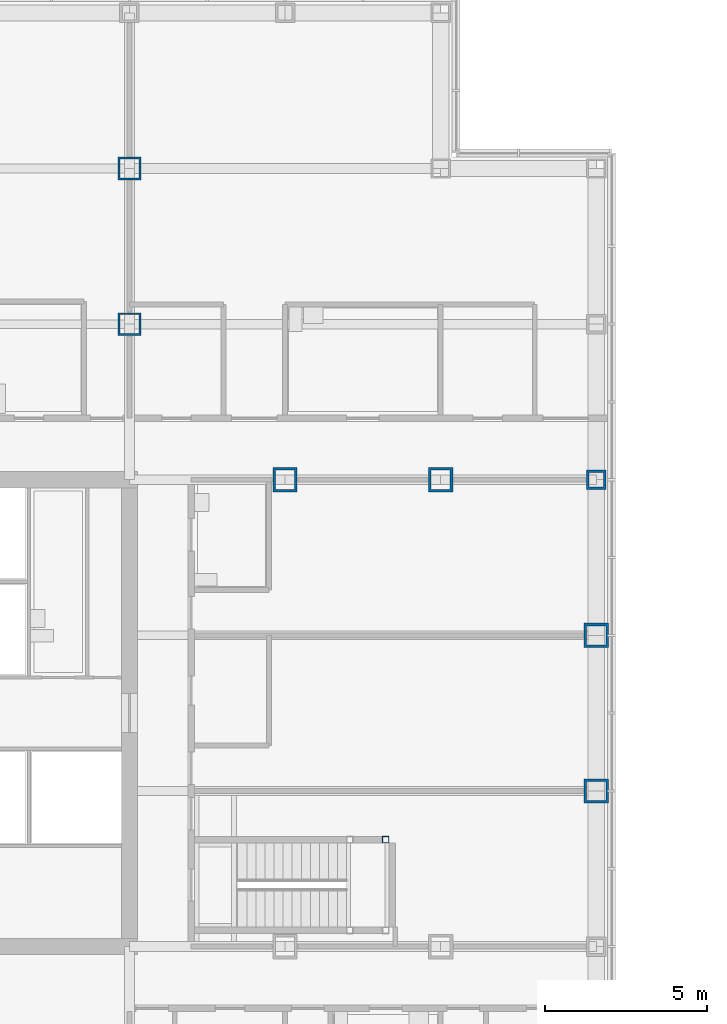
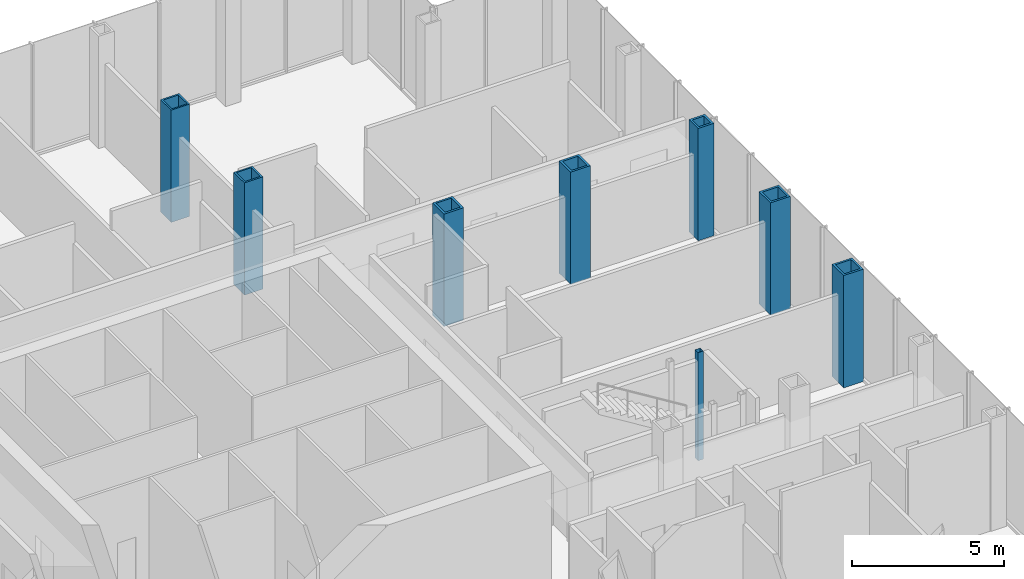
# One storey, part 9 of 25: 8 columns.
"""IFC4 building model written with IfcOpenShell, lengths in metres."""

from ifc_helpers import new_model, si_unit, direction, frame, origin, origin_2d, place, context, subcontext, project, spatial, hollow_rectangle, extrude, material, material_profile, profile_set, type_object, element, save


model = new_model("IFC4")

# Units and contexts
model_context = context("Model", 3, precision=1e-05, world=origin(), true_north=direction((0.0, 1.0)))
body_context = subcontext(model_context, "Body", "Model", "MODEL_VIEW")
ifc_project = project(units=[si_unit("LENGTHUNIT", "METRE"), si_unit("AREAUNIT", "SQUARE_METRE"), si_unit("VOLUMEUNIT", "CUBIC_METRE"), si_unit("PLANEANGLEUNIT", "RADIAN"), si_unit("MASSUNIT", "GRAM", prefix="KILO")], contexts=[model_context])

# Site, building, storey
site_placement = place(None, origin())
site = spatial("IfcSite", under=ifc_project, at=site_placement, CompositionType="ELEMENT")
building_placement = place(site_placement, origin())
building = spatial("IfcBuilding", under=site, at=building_placement, Name="Kvirike Care Tower", CompositionType="ELEMENT")
storey_placement = place(building_placement, frame((0.0, 0.0, 9.0)))
storey = spatial("IfcBuildingStorey", under=building, at=storey_placement, Name="L02", CompositionType="ELEMENT", Elevation=9.0)

# Columns
ifc_material_1 = material(Name="Steel S460", Category="steel")
ifc_material_profile_1 = material_profile(ifc_material_1, hollow_rectangle(XDim=0.60009765625, YDim=0.60009765625, WallThickness=0.080078125, at=origin_2d()), Name="BX 600x600x80")
ifc_profile_set_1 = profile_set([ifc_material_profile_1], Name="Steel S460")
column_type_1 = type_object("IfcColumnType", Name="COLUMN BX 600x600x80", PredefinedType="COLUMN", material=ifc_profile_set_1)
column_1_placement = place(storey_placement, frame((43.199951171875, 43.199951171875, 0.0), z_axis=(0.0, 0.0, 1.0), x_axis=(0.0, 1.0, 0.0)))
element("IfcColumn", 1, at=column_1_placement, inside=storey, type_object=column_type_1, Name="Column K12 L02", PredefinedType="COLUMN", context=body_context, shape_type="SweptSolid", body=[
    extrude(hollow_rectangle(XDim=0.60009765625, YDim=0.60009765625, WallThickness=0.080078125, at=origin_2d()), origin(), (0.0, 0.0, 1.0), 4.5),
])
ifc_material_2 = material(Name="Steel S460", Category="steel")
ifc_material_profile_2 = material_profile(ifc_material_2, hollow_rectangle(XDim=0.699951171875, YDim=0.699951171875, WallThickness=0.06005859375, at=origin_2d()), Name="BX 700x700x60")
ifc_profile_set_2 = profile_set([ifc_material_profile_2], Name="Steel S460")
column_type_2 = type_object("IfcColumnType", Name="COLUMN BX 700x700x60", PredefinedType="COLUMN", material=ifc_profile_set_2)
for number, where, z_axis, x_axis, name in (
    (2, (28.800048828125, 48.0, 0.0), (0.0, 0.0, 1.0), (1.0, 0.0, 0.0), "Column L9 L02"),
    (3, (28.800048828125, 52.800048828125, 0.0), (0.0, 0.0, 1.0), (1.0, 0.0, 0.0), "Column M9 L02"),
):
    element("IfcColumn", number, at=place(storey_placement, frame(where, z_axis=z_axis, x_axis=x_axis)), inside=storey, type_object=column_type_2, Name=name, PredefinedType="COLUMN", context=body_context, shape_type="SweptSolid", body=[
        extrude(hollow_rectangle(XDim=0.699951171875, YDim=0.699951171875, WallThickness=0.06005859375, at=origin_2d()), origin(), (0.0, 0.0, 1.0), 4.5),
    ])
ifc_material_3 = material(Name="Steel S460", Category="steel")
ifc_material_profile_3 = material_profile(ifc_material_3, hollow_rectangle(XDim=0.75, YDim=0.75, WallThickness=0.080078125, at=origin_2d()), Name="BX 750x750x80")
ifc_profile_set_3 = profile_set([ifc_material_profile_3], Name="Steel S460")
column_type_3 = type_object("IfcColumnType", Name="COLUMN BX 750x750x80", PredefinedType="COLUMN", material=ifc_profile_set_3)
for number, where, z_axis, x_axis, name in (
    (4, (33.60009765625, 43.199951171875, 0.0), (0.0, 0.0, 1.0), (0.0, 1.0, 0.0), "Column K10 L02"),
    (5, (38.39990234375, 43.199951171875, 0.0), (0.0, 0.0, 1.0), (0.0, 1.0, 0.0), "Column K11 L02"),
    (6, (43.199951171875, 33.60009765625, 0.0), (0.0, 0.0, 1.0), (1.0, 0.0, 0.0), "Column H12 L02"),
    (7, (43.199951171875, 38.39990234375, 0.0), (0.0, 0.0, 1.0), (1.0, 0.0, 0.0), "Column J12 L02"),
):
    element("IfcColumn", number, at=place(storey_placement, frame(where, z_axis=z_axis, x_axis=x_axis)), inside=storey, type_object=column_type_3, Name=name, PredefinedType="COLUMN", context=body_context, shape_type="SweptSolid", body=[
        extrude(hollow_rectangle(XDim=0.75, YDim=0.75, WallThickness=0.080078125, at=origin_2d()), origin(), (0.0, 0.0, 1.0), 4.5),
    ])
ifc_material_4 = material(Name="Steel S460", Category="steel")
ifc_material_profile_4 = material_profile(ifc_material_4, hollow_rectangle(XDim=0.199951171875, YDim=0.199951171875, WallThickness=0.008056640625, at=origin_2d()), Name="SHS 200x200x8")
ifc_profile_set_4 = profile_set([ifc_material_profile_4], Name="Steel S460")
column_type_4 = type_object("IfcColumnType", Name="STAIR POST SHS 200x200x8", PredefinedType="COLUMN", material=ifc_profile_set_4)
column_2_placement = place(storey_placement, frame((36.699951171875, 32.10009765625, 0.0), z_axis=(0.0, 0.0, 1.0), x_axis=(1.0, 0.0, 0.0)))
element("IfcColumn", 8, at=column_2_placement, inside=storey, type_object=column_type_4, Name="Stair 2 post 2 L02", PredefinedType="COLUMN", context=body_context, shape_type="SweptSolid", body=[
    extrude(hollow_rectangle(XDim=0.199951171875, YDim=0.199951171875, WallThickness=0.008056640625, at=origin_2d()), origin(), (0.0, 0.0, 1.0), 4.330078125),
])

save(model, "model.ifc")
